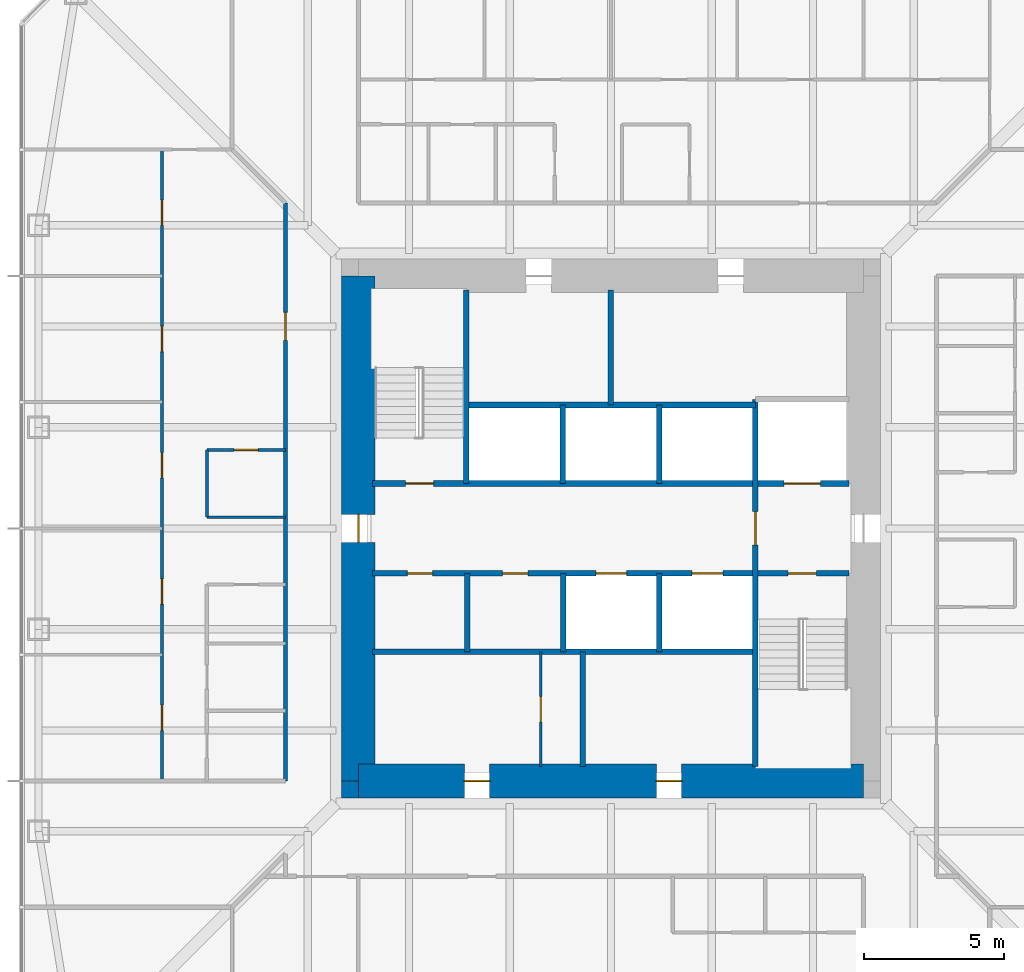
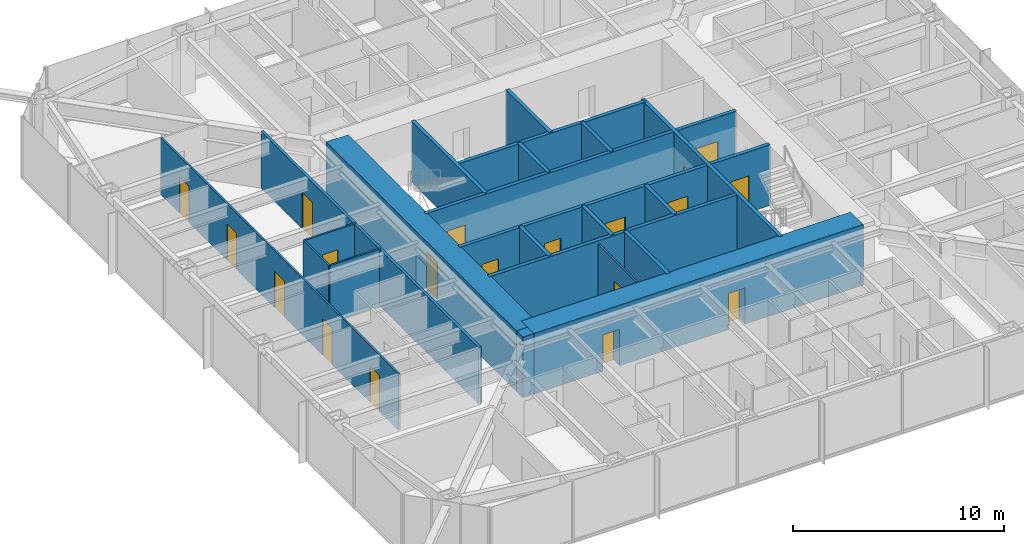
# One storey, part 14 of 25: 22 walls, 19 doors, 19 openings.
"""IFC4 building model written with IfcOpenShell, lengths in metres."""

from ifc_helpers import new_model, si_unit, direction, frame, frame_2d, origin, place, context, subcontext, project, spatial, rectangle, extrude, material, layer, layer_set, type_object, element, fill, save


model = new_model("IFC4")

# Units and contexts
model_context = context("Model", 3, precision=1e-05, world=origin(), true_north=direction((0.0, 1.0)))
body_context = subcontext(model_context, "Body", "Model", "MODEL_VIEW")
ifc_project = project(units=[si_unit("LENGTHUNIT", "METRE"), si_unit("AREAUNIT", "SQUARE_METRE"), si_unit("VOLUMEUNIT", "CUBIC_METRE"), si_unit("PLANEANGLEUNIT", "RADIAN"), si_unit("MASSUNIT", "GRAM", prefix="KILO")], contexts=[model_context])

# Site, building, storey
site_placement = place(None, origin())
site = spatial("IfcSite", under=ifc_project, at=site_placement, CompositionType="ELEMENT")
building_placement = place(site_placement, origin())
building = spatial("IfcBuilding", under=site, at=building_placement, Name="Iwan Alto Co-Living Towers", CompositionType="ELEMENT")
storey_placement = place(building_placement, frame((0.0, 0.0, 87.5)))
storey = spatial("IfcBuildingStorey", under=building, at=storey_placement, Name="L23", CompositionType="ELEMENT", Elevation=87.5)

# Wall, opening, door
ifc_material_1 = material(Name="Gypsum board")
ifc_layer_1 = layer(ifc_material_1, 0.02490234375, Name="Board", Category="Finish")
ifc_material_2 = material(Name="Steel ASTM A1003 ST33H cold-formed studs", Category="steel")
ifc_layer_2 = layer(ifc_material_2, 0.10009765625, Name="Studs", Category="Framing")
ifc_layer_3 = layer(ifc_material_1, 0.02490234375, Name="Board", Category="Finish")
ifc_layer_set_1 = layer_set([ifc_layer_1, ifc_layer_2, ifc_layer_3], Name="CORRIDOR WALL 150")
wall_type_1 = type_object("IfcWallType", Name="CORRIDOR WALL 150", PredefinedType="PARTITIONING", material=ifc_layer_set_1)
wall_1_placement = place(storey_placement, frame((-11.60009765625, -9.0, 0.0), z_axis=(0.0, 0.0, 1.0), x_axis=(0.0, 1.0, 0.0)))
wall_1 = element("IfcWall", 1, at=wall_1_placement, inside=storey, type_object=wall_type_1, Name="Partition L23", PredefinedType="PARTITIONING", context=body_context, shape_type="SweptSolid", body=[
    extrude(rectangle(XDim=20.60009765625, YDim=0.14990234375, at=frame_2d((10.300048828125, 0.0))), origin(), (0.0, 0.0, 1.0), 3.27001953125),
])
opening_1_placement = place(wall_1_placement, frame((15.699951171875, 0.0, 0.0)))
opening_1 = element("IfcOpeningElement", 2, at=opening_1_placement, cuts=wall_1, Name="Opening D3", PredefinedType="OPENING", context=body_context, shape_type="SweptSolid", body=[
    extrude(rectangle(XDim=1.0, YDim=2.10009765625, at=frame_2d((0.5, 1.050048828125))), frame((0.0, 0.0849609375, 0.0), z_axis=(0.0, -1.0, 0.0), x_axis=(1.0, 0.0, 0.0)), (0.0, 0.0, 1.0), 0.169921875),
])
ifc_material_3 = material(Name="Steel frame with timber leaf", Category="steel")
door_type_1 = type_object("IfcDoorType", Name="FLAT ENTRANCE DOOR FD30S 1000X2100", OperationType="SINGLE_SWING_LEFT", PredefinedType="DOOR", material=ifc_material_3)
door_1_placement = place(opening_1_placement, origin())
door_1 = element("IfcDoor", 3, at=door_1_placement, inside=storey, type_object=door_type_1, Name="Cluster lounge door L23", OperationType="SINGLE_SWING_LEFT", OverallHeight=2.10009765625, OverallWidth=1.0, PredefinedType="DOOR", context=body_context, shape_type="SweptSolid", body=[
    extrude(rectangle(XDim=1.0, YDim=2.10009765625, at=frame_2d((0.5, 1.050048828125))), frame((0.0, 0.02490234375, 0.0), z_axis=(0.0, -1.0, 0.0), x_axis=(1.0, 0.0, 0.0)), (0.0, 0.0, 1.0), 0.050048828125),
])
fill(opening_1, door_1)

# Wall
ifc_layer_4 = layer(ifc_material_1, 0.012451171875, Name="Board", Category="Finish")
ifc_layer_5 = layer(ifc_material_2, 0.074951171875, Name="Studs", Category="Framing")
ifc_layer_6 = layer(ifc_material_1, 0.012451171875, Name="Board", Category="Finish")
ifc_layer_set_2 = layer_set([ifc_layer_4, ifc_layer_5, ifc_layer_6], Name="PARTITION 100")
wall_type_2 = type_object("IfcWallType", Name="PARTITION 100", PredefinedType="PARTITIONING", material=ifc_layer_set_2)
wall_2_placement = place(storey_placement, frame((-14.39990234375, 0.39990234375, 0.0), z_axis=(0.0, 0.0, 1.0), x_axis=(1.0, 0.0, 0.0)))
element("IfcWall", 4, at=wall_2_placement, inside=storey, type_object=wall_type_2, Name="Partition L23", PredefinedType="PARTITIONING", context=body_context, shape_type="SweptSolid", body=[
    extrude(rectangle(XDim=2.7998046875, YDim=0.10009765625, at=frame_2d((1.39990234375, 0.0))), origin(), (0.0, 0.0, 1.0), 3.27001953125),
])

# Wall, opening, door
wall_3_placement = place(storey_placement, frame((-14.39990234375, 2.800048828125, 0.0), z_axis=(0.0, 0.0, 1.0), x_axis=(1.0, 0.0, 0.0)))
wall_3 = element("IfcWall", 5, at=wall_3_placement, inside=storey, type_object=wall_type_2, Name="Partition L23", PredefinedType="PARTITIONING", context=body_context, shape_type="SweptSolid", body=[
    extrude(rectangle(XDim=2.7998046875, YDim=0.10009765625, at=frame_2d((1.39990234375, 0.0))), origin(), (0.0, 0.0, 1.0), 3.27001953125),
])
opening_2_placement = place(wall_3_placement, frame((0.97509765625, 0.0, 0.0)))
opening_2 = element("IfcOpeningElement", 6, at=opening_2_placement, cuts=wall_3, Name="Opening D2", PredefinedType="OPENING", context=body_context, shape_type="SweptSolid", body=[
    extrude(rectangle(XDim=0.85009765625, YDim=2.10009765625, at=frame_2d((0.425048828125, 1.050048828125))), frame((0.0, 0.06005859375, 0.0), z_axis=(0.0, -1.0, 0.0), x_axis=(1.0, 0.0, 0.0)), (0.0, 0.0, 1.0), 0.1201171875),
])
ifc_material_4 = material(Name="Timber leaf in steel frame", Category="steel")
door_type_2 = type_object("IfcDoorType", Name="ROOM DOOR 850X2100", OperationType="SINGLE_SWING_LEFT", PredefinedType="DOOR", material=ifc_material_4)
door_2_placement = place(opening_2_placement, origin())
door_2 = element("IfcDoor", 7, at=door_2_placement, inside=storey, type_object=door_type_2, Name="Store room door L23", OperationType="SINGLE_SWING_RIGHT", OverallHeight=2.10009765625, OverallWidth=0.85009765625, PredefinedType="DOOR", context=body_context, shape_type="SweptSolid", body=[
    extrude(rectangle(XDim=0.85009765625, YDim=2.10009765625, at=frame_2d((0.425048828125, 1.050048828125))), frame((0.0, 0.02490234375, 0.0), z_axis=(0.0, -1.0, 0.0), x_axis=(1.0, 0.0, 0.0)), (0.0, 0.0, 1.0), 0.050048828125),
])
fill(opening_2, door_2)

wall_4_placement = place(storey_placement, frame((-2.5, -8.489990234375, 0.0), z_axis=(0.0, 0.0, 1.0), x_axis=(0.0, 1.0, 0.0)))
wall_4 = element("IfcWall", 8, at=wall_4_placement, inside=storey, type_object=wall_type_2, Name="Partition L23", PredefinedType="PARTITIONING", context=body_context, shape_type="SweptSolid", body=[
    extrude(rectangle(XDim=4.090087890625, YDim=0.10009765625, at=frame_2d((2.044921875, 0.0))), origin(), (0.0, 0.0, 1.0), 3.300048828125),
])
opening_3_placement = place(wall_4_placement, frame((1.594970703125, 0.0, 0.0)))
opening_3 = element("IfcOpeningElement", 9, at=opening_3_placement, cuts=wall_4, Name="Opening D16", PredefinedType="OPENING", context=body_context, shape_type="SweptSolid", body=[
    extrude(rectangle(XDim=0.89990234375, YDim=2.10009765625, at=frame_2d((0.449951171875, 1.050048828125))), frame((0.0, 0.06005859375, 0.0), z_axis=(0.0, -1.0, 0.0), x_axis=(1.0, 0.0, 0.0)), (0.0, 0.0, 1.0), 0.1201171875),
])
ifc_material_5 = material(Name="Timber leaf in steel frame", Category="steel")
door_type_3 = type_object("IfcDoorType", Name="CUPBOARD SLIDING DOOR 900X2100", OperationType="SLIDING_TO_LEFT", PredefinedType="DOOR", material=ifc_material_5)
door_3_placement = place(opening_3_placement, origin())
door_3 = element("IfcDoor", 10, at=door_3_placement, inside=storey, type_object=door_type_3, Name="Bulky waste store door L23", OperationType="SLIDING_TO_LEFT", OverallHeight=2.10009765625, OverallWidth=0.89990234375, PredefinedType="DOOR", context=body_context, shape_type="SweptSolid", body=[
    extrude(rectangle(XDim=0.89990234375, YDim=2.10009765625, at=frame_2d((0.449951171875, 1.050048828125))), frame((0.0, 0.02490234375, 0.0), z_axis=(0.0, -1.0, 0.0), x_axis=(1.0, 0.0, 0.0)), (0.0, 0.0, 1.0), 0.050048828125),
])
fill(opening_3, door_3)

# Wall
wall_5_placement = place(storey_placement, frame((-14.39990234375, 0.39990234375, 0.0), z_axis=(0.0, 0.0, 1.0), x_axis=(0.0, 1.0, 0.0)))
element("IfcWall", 11, at=wall_5_placement, inside=storey, type_object=wall_type_2, Name="Partition L23", PredefinedType="PARTITIONING", context=body_context, shape_type="SweptSolid", body=[
    extrude(rectangle(XDim=2.400146484375, YDim=0.10009765625, at=frame_2d((1.2001953125, 0.0))), origin(), (0.0, 0.0, 1.0), 3.27001953125),
])

# Wall, openings, doors
wall_6_placement = place(storey_placement, frame((-16.0, -9.0, 0.0), z_axis=(0.0, 0.0, 1.0), x_axis=(0.0, 1.0, 0.0)))
wall_6 = element("IfcWall", 12, at=wall_6_placement, inside=storey, type_object=wall_type_2, Name="Partition L23", PredefinedType="PARTITIONING", context=body_context, shape_type="SweptSolid", body=[
    extrude(rectangle(XDim=22.5, YDim=0.10009765625, at=frame_2d((11.25, 0.0))), origin(), (0.0, 0.0, 1.0), 3.27001953125),
])
opening_4_placement = place(wall_6_placement, frame((19.800048828125, 0.0, 0.0)))
opening_4 = element("IfcOpeningElement", 13, at=opening_4_placement, cuts=wall_6, Name="Opening D1", PredefinedType="OPENING", context=body_context, shape_type="SweptSolid", body=[
    extrude(rectangle(XDim=0.89990234375, YDim=2.10009765625, at=frame_2d((0.449951171875, 1.050048828125))), frame((0.0, 0.06005859375, 0.0), z_axis=(0.0, -1.0, 0.0), x_axis=(1.0, 0.0, 0.0)), (0.0, 0.0, 1.0), 0.1201171875),
])
opening_5_placement = place(wall_6_placement, frame((15.300048828125, 0.0, 0.0)))
opening_5 = element("IfcOpeningElement", 14, at=opening_5_placement, cuts=wall_6, Name="Opening D1", PredefinedType="OPENING", context=body_context, shape_type="SweptSolid", body=[
    extrude(rectangle(XDim=0.89990234375, YDim=2.10009765625, at=frame_2d((0.449951171875, 1.050048828125))), frame((0.0, 0.06005859375, 0.0), z_axis=(0.0, -1.0, 0.0), x_axis=(1.0, 0.0, 0.0)), (0.0, 0.0, 1.0), 0.1201171875),
])
opening_6_placement = place(wall_6_placement, frame((10.800048828125, 0.0, 0.0)))
opening_6 = element("IfcOpeningElement", 15, at=opening_6_placement, cuts=wall_6, Name="Opening D1", PredefinedType="OPENING", context=body_context, shape_type="SweptSolid", body=[
    extrude(rectangle(XDim=0.89990234375, YDim=2.10009765625, at=frame_2d((0.449951171875, 1.050048828125))), frame((0.0, 0.06005859375, 0.0), z_axis=(0.0, -1.0, 0.0), x_axis=(1.0, 0.0, 0.0)), (0.0, 0.0, 1.0), 0.1201171875),
])
opening_7_placement = place(wall_6_placement, frame((6.300048828125, 0.0, 0.0)))
opening_7 = element("IfcOpeningElement", 16, at=opening_7_placement, cuts=wall_6, Name="Opening D1", PredefinedType="OPENING", context=body_context, shape_type="SweptSolid", body=[
    extrude(rectangle(XDim=0.89990234375, YDim=2.10009765625, at=frame_2d((0.449951171875, 1.050048828125))), frame((0.0, 0.06005859375, 0.0), z_axis=(0.0, -1.0, 0.0), x_axis=(1.0, 0.0, 0.0)), (0.0, 0.0, 1.0), 0.1201171875),
])
opening_8_placement = place(wall_6_placement, frame((1.800048828125, 0.0, 0.0)))
opening_8 = element("IfcOpeningElement", 17, at=opening_8_placement, cuts=wall_6, Name="Opening D1", PredefinedType="OPENING", context=body_context, shape_type="SweptSolid", body=[
    extrude(rectangle(XDim=0.89990234375, YDim=2.10009765625, at=frame_2d((0.449951171875, 1.050048828125))), frame((0.0, 0.06005859375, 0.0), z_axis=(0.0, -1.0, 0.0), x_axis=(1.0, 0.0, 0.0)), (0.0, 0.0, 1.0), 0.1201171875),
])
ifc_material_6 = material(Name="Timber leaf in steel frame", Category="steel")
door_type_4 = type_object("IfcDoorType", Name="BEDROOM DOOR 900X2100", OperationType="SINGLE_SWING_LEFT", PredefinedType="DOOR", material=ifc_material_6)
door_4_placement = place(opening_4_placement, frame((0.89990234375, 0.0, 0.0), z_axis=(0.0, 0.0, 1.0), x_axis=(-1.0, 0.0, 0.0)))
door_4 = element("IfcDoor", 18, at=door_4_placement, inside=storey, type_object=door_type_4, Name="Study bedroom door L23", OperationType="SINGLE_SWING_LEFT", OverallHeight=2.10009765625, OverallWidth=0.89990234375, PredefinedType="DOOR", context=body_context, shape_type="SweptSolid", body=[
    extrude(rectangle(XDim=0.89990234375, YDim=2.10009765625, at=frame_2d((0.449951171875, 1.050048828125))), frame((0.0, 0.02490234375, 0.0), z_axis=(0.0, -1.0, 0.0), x_axis=(1.0, 0.0, 0.0)), (0.0, 0.0, 1.0), 0.050048828125),
])
fill(opening_4, door_4)
door_5_placement = place(opening_5_placement, frame((0.89990234375, 0.0, 0.0), z_axis=(0.0, 0.0, 1.0), x_axis=(-1.0, 0.0, 0.0)))
door_5 = element("IfcDoor", 19, at=door_5_placement, inside=storey, type_object=door_type_4, Name="Study bedroom door L23", OperationType="SINGLE_SWING_LEFT", OverallHeight=2.10009765625, OverallWidth=0.89990234375, PredefinedType="DOOR", context=body_context, shape_type="SweptSolid", body=[
    extrude(rectangle(XDim=0.89990234375, YDim=2.10009765625, at=frame_2d((0.449951171875, 1.050048828125))), frame((0.0, 0.02490234375, 0.0), z_axis=(0.0, -1.0, 0.0), x_axis=(1.0, 0.0, 0.0)), (0.0, 0.0, 1.0), 0.050048828125),
])
fill(opening_5, door_5)
door_6_placement = place(opening_6_placement, frame((0.89990234375, 0.0, 0.0), z_axis=(0.0, 0.0, 1.0), x_axis=(-1.0, 0.0, 0.0)))
door_6 = element("IfcDoor", 20, at=door_6_placement, inside=storey, type_object=door_type_4, Name="Study bedroom door L23", OperationType="SINGLE_SWING_RIGHT", OverallHeight=2.10009765625, OverallWidth=0.89990234375, PredefinedType="DOOR", context=body_context, shape_type="SweptSolid", body=[
    extrude(rectangle(XDim=0.89990234375, YDim=2.10009765625, at=frame_2d((0.449951171875, 1.050048828125))), frame((0.0, 0.02490234375, 0.0), z_axis=(0.0, -1.0, 0.0), x_axis=(1.0, 0.0, 0.0)), (0.0, 0.0, 1.0), 0.050048828125),
])
fill(opening_6, door_6)
door_7_placement = place(opening_7_placement, frame((0.89990234375, 0.0, 0.0), z_axis=(0.0, 0.0, 1.0), x_axis=(-1.0, 0.0, 0.0)))
door_7 = element("IfcDoor", 21, at=door_7_placement, inside=storey, type_object=door_type_4, Name="Study bedroom door L23", OperationType="SINGLE_SWING_RIGHT", OverallHeight=2.10009765625, OverallWidth=0.89990234375, PredefinedType="DOOR", context=body_context, shape_type="SweptSolid", body=[
    extrude(rectangle(XDim=0.89990234375, YDim=2.10009765625, at=frame_2d((0.449951171875, 1.050048828125))), frame((0.0, 0.02490234375, 0.0), z_axis=(0.0, -1.0, 0.0), x_axis=(1.0, 0.0, 0.0)), (0.0, 0.0, 1.0), 0.050048828125),
])
fill(opening_7, door_7)
door_8_placement = place(opening_8_placement, frame((0.89990234375, 0.0, 0.0), z_axis=(0.0, 0.0, 1.0), x_axis=(-1.0, 0.0, 0.0)))
door_8 = element("IfcDoor", 22, at=door_8_placement, inside=storey, type_object=door_type_4, Name="Study bedroom door L23", OperationType="SINGLE_SWING_RIGHT", OverallHeight=2.10009765625, OverallWidth=0.89990234375, PredefinedType="DOOR", context=body_context, shape_type="SweptSolid", body=[
    extrude(rectangle(XDim=0.89990234375, YDim=2.10009765625, at=frame_2d((0.449951171875, 1.050048828125))), frame((0.0, 0.02490234375, 0.0), z_axis=(0.0, -1.0, 0.0), x_axis=(1.0, 0.0, 0.0)), (0.0, 0.0, 1.0), 0.050048828125),
])
fill(opening_8, door_8)

# Wall
ifc_material_7 = material(Name="Concrete f'c 70 MPa", Category="concrete")
ifc_layer_7 = layer(ifc_material_7, 0.199951171875)
ifc_layer_set_3 = layer_set([ifc_layer_7], Name="SHAFT WALL 200")
wall_type_3 = type_object("IfcWallType", Name="SHAFT WALL 200", PredefinedType="SOLIDWALL", material=ifc_layer_set_3)
wall_7_placement = place(storey_placement, frame((-8.489990234375, -4.39990234375, 0.0), z_axis=(0.0, 0.0, 1.0), x_axis=(1.0, 0.0, 0.0)))
element("IfcWall", 23, at=wall_7_placement, inside=storey, type_object=wall_type_3, Name="Shaft wall L23", PredefinedType="SOLIDWALL", context=body_context, shape_type="SweptSolid", body=[
    extrude(rectangle(XDim=13.639892578125, YDim=0.199951171875, at=frame_2d((6.81982421875, 0.0))), origin(), (0.0, 0.0, 1.0), 3.5),
])

# Wall, openings, doors
wall_8_placement = place(storey_placement, frame((-8.489990234375, -1.60009765625, 0.0), z_axis=(0.0, 0.0, 1.0), x_axis=(1.0, 0.0, 0.0)))
wall_8 = element("IfcWall", 24, at=wall_8_placement, inside=storey, type_object=wall_type_3, Name="Shaft wall L23", PredefinedType="SOLIDWALL", context=body_context, shape_type="SweptSolid", body=[
    extrude(rectangle(XDim=16.97998046875, YDim=0.199951171875, at=frame_2d((8.489990234375, 0.0))), origin(), (0.0, 0.0, 1.0), 3.5),
])
opening_9_placement = place(wall_8_placement, frame((14.81005859375, 0.0, 0.0)))
opening_9 = element("IfcOpeningElement", 25, at=opening_9_placement, cuts=wall_8, Name="Opening D5", PredefinedType="OPENING", context=body_context, shape_type="SweptSolid", body=[
    extrude(rectangle(XDim=1.0, YDim=2.10009765625, at=frame_2d((0.5, 1.050048828125))), frame((0.0, 0.10986328125, 0.0), z_axis=(0.0, -1.0, 0.0), x_axis=(1.0, 0.0, 0.0)), (0.0, 0.0, 1.0), 0.219970703125),
])
opening_10_placement = place(wall_8_placement, frame((1.23193359375, 0.0, 0.0)))
opening_10 = element("IfcOpeningElement", 26, at=opening_10_placement, cuts=wall_8, Name="Opening D15", PredefinedType="OPENING", context=body_context, shape_type="SweptSolid", body=[
    extrude(rectangle(XDim=0.89990234375, YDim=2.10009765625, at=frame_2d((0.449951171875, 1.050048828125))), frame((0.0, 0.10986328125, 0.0), z_axis=(0.0, -1.0, 0.0), x_axis=(1.0, 0.0, 0.0)), (0.0, 0.0, 1.0), 0.219970703125),
])
opening_11_placement = place(wall_8_placement, frame((4.626953125, 0.0, 0.0)))
opening_11 = element("IfcOpeningElement", 27, at=opening_11_placement, cuts=wall_8, Name="Opening D15", PredefinedType="OPENING", context=body_context, shape_type="SweptSolid", body=[
    extrude(rectangle(XDim=0.89990234375, YDim=2.10009765625, at=frame_2d((0.449951171875, 1.050048828125))), frame((0.0, 0.10986328125, 0.0), z_axis=(0.0, -1.0, 0.0), x_axis=(1.0, 0.0, 0.0)), (0.0, 0.0, 1.0), 0.219970703125),
])
opening_12_placement = place(wall_8_placement, frame((7.952880859375, 0.0, 0.0)))
opening_12 = element("IfcOpeningElement", 28, at=opening_12_placement, cuts=wall_8, Name="Opening LD", PredefinedType="OPENING", context=body_context, shape_type="SweptSolid", body=[
    extrude(rectangle(XDim=1.10009765625, YDim=2.10009765625, at=frame_2d((0.550048828125, 1.050048828125))), frame((0.0, 0.10986328125, 0.0), z_axis=(0.0, -1.0, 0.0), x_axis=(1.0, 0.0, 0.0)), (0.0, 0.0, 1.0), 0.219970703125),
])
opening_13_placement = place(wall_8_placement, frame((11.3779296875, 0.0, 0.0)))
opening_13 = element("IfcOpeningElement", 29, at=opening_13_placement, cuts=wall_8, Name="Opening LD", PredefinedType="OPENING", context=body_context, shape_type="SweptSolid", body=[
    extrude(rectangle(XDim=1.10009765625, YDim=2.10009765625, at=frame_2d((0.550048828125, 1.050048828125))), frame((0.0, 0.10986328125, 0.0), z_axis=(0.0, -1.0, 0.0), x_axis=(1.0, 0.0, 0.0)), (0.0, 0.0, 1.0), 0.219970703125),
])
ifc_material_8 = material(Name="Steel frame with timber leaf", Category="steel")
door_type_5 = type_object("IfcDoorType", Name="CORE ROOM DOOR FD60S 900X2100", OperationType="SINGLE_SWING_LEFT", PredefinedType="DOOR", material=ifc_material_8)
door_9_placement = place(opening_10_placement, frame((0.89990234375, 0.0, 0.0), z_axis=(0.0, 0.0, 1.0), x_axis=(-1.0, 0.0, 0.0)))
door_9 = element("IfcDoor", 30, at=door_9_placement, inside=storey, type_object=door_type_5, Name="Vending and ice room door L23", OperationType="SINGLE_SWING_LEFT", OverallHeight=2.10009765625, OverallWidth=0.89990234375, PredefinedType="DOOR", context=body_context, shape_type="SweptSolid", body=[
    extrude(rectangle(XDim=0.89990234375, YDim=2.10009765625, at=frame_2d((0.449951171875, 1.050048828125))), frame((0.0, 0.02490234375, 0.0), z_axis=(0.0, -1.0, 0.0), x_axis=(1.0, 0.0, 0.0)), (0.0, 0.0, 1.0), 0.050048828125),
])
fill(opening_10, door_9)
door_10_placement = place(opening_11_placement, frame((0.89990234375, 0.0, 0.0), z_axis=(0.0, 0.0, 1.0), x_axis=(-1.0, 0.0, 0.0)))
door_10 = element("IfcDoor", 31, at=door_10_placement, inside=storey, type_object=door_type_5, Name="Linen store door L23", OperationType="SINGLE_SWING_RIGHT", OverallHeight=2.10009765625, OverallWidth=0.89990234375, PredefinedType="DOOR", context=body_context, shape_type="SweptSolid", body=[
    extrude(rectangle(XDim=0.89990234375, YDim=2.10009765625, at=frame_2d((0.449951171875, 1.050048828125))), frame((0.0, 0.02490234375, 0.0), z_axis=(0.0, -1.0, 0.0), x_axis=(1.0, 0.0, 0.0)), (0.0, 0.0, 1.0), 0.050048828125),
])
fill(opening_11, door_10)
ifc_material_9 = material(Name="Steel frame with timber leaf", Category="steel")
door_type_6 = type_object("IfcDoorType", Name="LIFT LANDING DOOR 1100X2100", OperationType="DOUBLE_DOOR_SLIDING", PredefinedType="DOOR", material=ifc_material_9)
door_11_placement = place(opening_12_placement, origin())
door_11 = element("IfcDoor", 32, at=door_11_placement, inside=storey, type_object=door_type_6, Name="Lift P2-3 landing door L23", OperationType="DOUBLE_DOOR_SLIDING", OverallHeight=2.10009765625, OverallWidth=1.10009765625, PredefinedType="DOOR", context=body_context, shape_type="SweptSolid", body=[
    extrude(rectangle(XDim=1.10009765625, YDim=2.10009765625, at=frame_2d((0.550048828125, 1.050048828125))), frame((0.0, 0.02490234375, 0.0), z_axis=(0.0, -1.0, 0.0), x_axis=(1.0, 0.0, 0.0)), (0.0, 0.0, 1.0), 0.050048828125),
])
fill(opening_12, door_11)
door_12_placement = place(opening_13_placement, origin())
door_12 = element("IfcDoor", 33, at=door_12_placement, inside=storey, type_object=door_type_6, Name="Lift P2-4 landing door L23", OperationType="DOUBLE_DOOR_SLIDING", OverallHeight=2.10009765625, OverallWidth=1.10009765625, PredefinedType="DOOR", context=body_context, shape_type="SweptSolid", body=[
    extrude(rectangle(XDim=1.10009765625, YDim=2.10009765625, at=frame_2d((0.550048828125, 1.050048828125))), frame((0.0, 0.02490234375, 0.0), z_axis=(0.0, -1.0, 0.0), x_axis=(1.0, 0.0, 0.0)), (0.0, 0.0, 1.0), 0.050048828125),
])
fill(opening_13, door_12)
ifc_material_10 = material(Name="Steel frame with timber leaf", Category="steel")
door_type_7 = type_object("IfcDoorType", Name="STAIR DOOR FD120S 1000X2100", OperationType="SINGLE_SWING_LEFT", PredefinedType="DOOR", material=ifc_material_10)
door_13_placement = place(opening_9_placement, frame((1.0, 0.0, 0.0), z_axis=(0.0, 0.0, 1.0), x_axis=(-1.0, 0.0, 0.0)))
door_13 = element("IfcDoor", 34, at=door_13_placement, inside=storey, type_object=door_type_7, Name="Stair S2 door L23", OperationType="SINGLE_SWING_RIGHT", OverallHeight=2.10009765625, OverallWidth=1.0, PredefinedType="DOOR", context=body_context, shape_type="SweptSolid", body=[
    extrude(rectangle(XDim=1.0, YDim=2.10009765625, at=frame_2d((0.5, 1.050048828125))), frame((0.0, 0.02490234375, 0.0), z_axis=(0.0, -1.0, 0.0), x_axis=(1.0, 0.0, 0.0)), (0.0, 0.0, 1.0), 0.050048828125),
])
fill(opening_9, door_13)

wall_9_placement = place(storey_placement, frame((-8.489990234375, 1.60009765625, 0.0), z_axis=(0.0, 0.0, 1.0), x_axis=(1.0, 0.0, 0.0)))
wall_9 = element("IfcWall", 35, at=wall_9_placement, inside=storey, type_object=wall_type_3, Name="Shaft wall L23", PredefinedType="SOLIDWALL", context=body_context, shape_type="SweptSolid", body=[
    extrude(rectangle(XDim=16.97998046875, YDim=0.199951171875, at=frame_2d((8.489990234375, 0.0))), origin(), (0.0, 0.0, 1.0), 3.5),
])
opening_14_placement = place(wall_9_placement, frame((1.169921875, 0.0, 0.0)))
opening_14 = element("IfcOpeningElement", 36, at=opening_14_placement, cuts=wall_9, Name="Opening D5", PredefinedType="OPENING", context=body_context, shape_type="SweptSolid", body=[
    extrude(rectangle(XDim=1.0, YDim=2.10009765625, at=frame_2d((0.5, 1.050048828125))), frame((0.0, 0.10986328125, 0.0), z_axis=(0.0, -1.0, 0.0), x_axis=(1.0, 0.0, 0.0)), (0.0, 0.0, 1.0), 0.219970703125),
])
opening_15_placement = place(wall_9_placement, frame((14.659912109375, 0.0, 0.0)))
opening_15 = element("IfcOpeningElement", 37, at=opening_15_placement, cuts=wall_9, Name="Opening LD2", PredefinedType="OPENING", context=body_context, shape_type="SweptSolid", body=[
    extrude(rectangle(XDim=1.300048828125, YDim=2.10009765625, at=frame_2d((0.64990234375, 1.050048828125))), frame((0.0, 0.10986328125, 0.0), z_axis=(0.0, -1.0, 0.0), x_axis=(1.0, 0.0, 0.0)), (0.0, 0.0, 1.0), 0.219970703125),
])
ifc_material_11 = material(Name="Steel frame with timber leaf", Category="steel")
door_type_8 = type_object("IfcDoorType", Name="LIFT LANDING DOOR 1300X2100", OperationType="SLIDING_TO_LEFT", PredefinedType="DOOR", material=ifc_material_11)
door_14_placement = place(opening_15_placement, origin())
door_14 = element("IfcDoor", 38, at=door_14_placement, inside=storey, type_object=door_type_8, Name="Lift FL1 landing door L23", OperationType="SLIDING_TO_LEFT", OverallHeight=2.10009765625, OverallWidth=1.300048828125, PredefinedType="DOOR", context=body_context, shape_type="SweptSolid", body=[
    extrude(rectangle(XDim=1.300048828125, YDim=2.10009765625, at=frame_2d((0.64990234375, 1.050048828125))), frame((0.0, 0.02490234375, 0.0), z_axis=(0.0, -1.0, 0.0), x_axis=(1.0, 0.0, 0.0)), (0.0, 0.0, 1.0), 0.050048828125),
])
fill(opening_15, door_14)
door_15_placement = place(opening_14_placement, origin())
door_15 = element("IfcDoor", 39, at=door_15_placement, inside=storey, type_object=door_type_7, Name="Stair S1 door L23", OperationType="SINGLE_SWING_RIGHT", OverallHeight=2.10009765625, OverallWidth=1.0, PredefinedType="DOOR", context=body_context, shape_type="SweptSolid", body=[
    extrude(rectangle(XDim=1.0, YDim=2.10009765625, at=frame_2d((0.5, 1.050048828125))), frame((0.0, 0.02490234375, 0.0), z_axis=(0.0, -1.0, 0.0), x_axis=(1.0, 0.0, 0.0)), (0.0, 0.0, 1.0), 0.050048828125),
])
fill(opening_14, door_15)

# Wall
wall_10_placement = place(storey_placement, frame((-5.14990234375, 4.39990234375, 0.0), z_axis=(0.0, 0.0, 1.0), x_axis=(1.0, 0.0, 0.0)))
element("IfcWall", 40, at=wall_10_placement, inside=storey, type_object=wall_type_3, Name="Shaft wall L23", PredefinedType="SOLIDWALL", context=body_context, shape_type="SweptSolid", body=[
    extrude(rectangle(XDim=10.2998046875, YDim=0.199951171875, at=frame_2d((5.14990234375, 0.0))), origin(), (0.0, 0.0, 1.0), 3.5),
])

# Wall, opening, door
wall_11_placement = place(storey_placement, frame((5.14990234375, -8.489990234375, 0.0), z_axis=(0.0, 0.0, 1.0), x_axis=(0.0, 1.0, 0.0)))
wall_11 = element("IfcWall", 41, at=wall_11_placement, inside=storey, type_object=wall_type_3, Name="Shaft wall L23", PredefinedType="SOLIDWALL", context=body_context, shape_type="SweptSolid", body=[
    extrude(rectangle(XDim=13.090087890625, YDim=0.199951171875, at=frame_2d((6.544921875, 0.0))), origin(), (0.0, 0.0, 1.0), 3.5),
])
opening_16_placement = place(wall_11_placement, frame((7.889892578125, 0.0, 0.0)))
opening_16 = element("IfcOpeningElement", 42, at=opening_16_placement, cuts=wall_11, Name="Opening D6", PredefinedType="OPENING", context=body_context, shape_type="SweptSolid", body=[
    extrude(rectangle(XDim=1.199951171875, YDim=2.10009765625, at=frame_2d((0.60009765625, 1.050048828125))), frame((0.0, 0.10986328125, 0.0), z_axis=(0.0, -1.0, 0.0), x_axis=(1.0, 0.0, 0.0)), (0.0, 0.0, 1.0), 0.219970703125),
])
ifc_material_12 = material(Name="Steel frame with timber leaf", Category="steel")
door_type_9 = type_object("IfcDoorType", Name="LOBBY DOOR FD120S 1200X2100", OperationType="SINGLE_SWING_LEFT", PredefinedType="DOOR", material=ifc_material_12)
door_16_placement = place(opening_16_placement, frame((1.199951171875, 0.0, 0.0), z_axis=(0.0, 0.0, 1.0), x_axis=(-1.0, 0.0, 0.0)))
door_16 = element("IfcDoor", 43, at=door_16_placement, inside=storey, type_object=door_type_9, Name="Firefighting lobby door L23", OperationType="SINGLE_SWING_RIGHT", OverallHeight=2.10009765625, OverallWidth=1.199951171875, PredefinedType="DOOR", context=body_context, shape_type="SweptSolid", body=[
    extrude(rectangle(XDim=1.199951171875, YDim=2.10009765625, at=frame_2d((0.60009765625, 1.050048828125))), frame((0.0, 0.02490234375, 0.0), z_axis=(0.0, -1.0, 0.0), x_axis=(1.0, 0.0, 0.0)), (0.0, 0.0, 1.0), 0.050048828125),
])
fill(opening_16, door_16)

# Walls
for number, where, z_axis, x_axis, name in (
    (44, (1.72509765625, -4.39990234375, 0.0), (0.0, 0.0, 1.0), (0.0, 1.0, 0.0), "Shaft wall L23"),
    (45, (1.717041015625, 1.60009765625, 0.0), (0.0, 0.0, 1.0), (0.0, 1.0, 0.0), "Shaft wall L23"),
):
    element("IfcWall", number, at=place(storey_placement, frame(where, z_axis=z_axis, x_axis=x_axis)), inside=storey, type_object=wall_type_3, Name=name, PredefinedType="SOLIDWALL", context=body_context, shape_type="SweptSolid", body=[
        extrude(rectangle(XDim=2.7998046875, YDim=0.199951171875, at=frame_2d((1.39990234375, 0.0))), origin(), (0.0, 0.0, 1.0), 3.5),
    ])
for number, where, z_axis, x_axis, name in (
    (46, (0.0, 4.39990234375, 0.0), (0.0, 0.0, 1.0), (0.0, 1.0, 0.0), "Shaft wall L23"),
    (47, (-1.0, -8.489990234375, 0.0), (0.0, 0.0, 1.0), (0.0, 1.0, 0.0), "Shaft wall L23"),
):
    element("IfcWall", number, at=place(storey_placement, frame(where, z_axis=z_axis, x_axis=x_axis)), inside=storey, type_object=wall_type_3, Name=name, PredefinedType="SOLIDWALL", context=body_context, shape_type="SweptSolid", body=[
        extrude(rectangle(XDim=4.090087890625, YDim=0.199951171875, at=frame_2d((2.044921875, 0.0))), origin(), (0.0, 0.0, 1.0), 3.5),
    ])
for number, where, z_axis, x_axis, name in (
    (48, (-1.699951171875, -4.39990234375, 0.0), (0.0, 0.0, 1.0), (0.0, 1.0, 0.0), "Shaft wall L23"),
    (49, (-1.717041015625, 1.60009765625, 0.0), (0.0, 0.0, 1.0), (0.0, 1.0, 0.0), "Shaft wall L23"),
    (50, (-5.125, -4.39990234375, 0.0), (0.0, 0.0, 1.0), (0.0, 1.0, 0.0), "Shaft wall L23"),
):
    element("IfcWall", number, at=place(storey_placement, frame(where, z_axis=z_axis, x_axis=x_axis)), inside=storey, type_object=wall_type_3, Name=name, PredefinedType="SOLIDWALL", context=body_context, shape_type="SweptSolid", body=[
        extrude(rectangle(XDim=2.7998046875, YDim=0.199951171875, at=frame_2d((1.39990234375, 0.0))), origin(), (0.0, 0.0, 1.0), 3.5),
    ])
wall_12_placement = place(storey_placement, frame((-5.14990234375, 1.60009765625, 0.0), z_axis=(0.0, 0.0, 1.0), x_axis=(0.0, 1.0, 0.0)))
element("IfcWall", 51, at=wall_12_placement, inside=storey, type_object=wall_type_3, Name="Shaft wall L23", PredefinedType="SOLIDWALL", context=body_context, shape_type="SweptSolid", body=[
    extrude(rectangle(XDim=6.889892578125, YDim=0.199951171875, at=frame_2d((3.44482421875, 0.0))), origin(), (0.0, 0.0, 1.0), 3.5),
])
ifc_material_13 = material(Name="Concrete f'c 70 MPa", Category="concrete")
ifc_layer_8 = layer(ifc_material_13, 0.60009765625)
ifc_layer_set_4 = layer_set([ifc_layer_8], Name="T1 CORE CORNER FILL 600")
wall_type_4 = type_object("IfcWallType", Name="T1 CORE CORNER FILL 600", PredefinedType="SOLIDWALL", material=ifc_layer_set_4)
wall_13_placement = place(storey_placement, frame((-9.60009765625, -9.300048828125, 0.0), z_axis=(0.0, 0.0, 1.0), x_axis=(1.0, 0.0, 0.0)))
element("IfcWall", 52, at=wall_13_placement, inside=storey, type_object=wall_type_4, Name="T1 core corner SW L23", PredefinedType="SOLIDWALL", context=body_context, shape_type="SweptSolid", body=[
    extrude(rectangle(XDim=0.60009765625, YDim=0.60009765625, at=frame_2d((0.300048828125, 0.0))), origin(), (0.0, 0.0, 1.0), 3.5),
])

# Wall, openings, doors
ifc_material_14 = material(Name="Concrete f'c 70 MPa", Category="concrete")
ifc_layer_9 = layer(ifc_material_14, 1.199951171875)
ifc_layer_set_5 = layer_set([ifc_layer_9], Name="T1 CORE WALL 1200")
wall_type_5 = type_object("IfcWallType", Name="T1 CORE WALL 1200", PredefinedType="SHEAR", material=ifc_layer_set_5)
wall_14_placement = place(storey_placement, frame((-9.0, -9.0, 0.0), z_axis=(0.0, 0.0, 1.0), x_axis=(1.0, 0.0, 0.0)))
wall_14 = element("IfcWall", 53, at=wall_14_placement, inside=storey, type_object=wall_type_5, Name="T1 core wall S L23", PredefinedType="SHEAR", context=body_context, shape_type="SweptSolid", body=[
    extrude(rectangle(XDim=18.0, YDim=1.199951171875, at=frame_2d((9.0, 0.0))), origin(), (0.0, 0.0, 1.0), 3.5),
])
opening_17_placement = place(wall_14_placement, frame((3.77490234375, 0.0, 0.0)))
opening_17 = element("IfcOpeningElement", 54, at=opening_17_placement, cuts=wall_14, Name="Opening D8", PredefinedType="OPENING", context=body_context, shape_type="SweptSolid", body=[
    extrude(rectangle(XDim=0.89990234375, YDim=2.10009765625, at=frame_2d((0.449951171875, 1.050048828125))), frame((0.0, 0.60986328125, 0.0), z_axis=(0.0, -1.0, 0.0), x_axis=(1.0, 0.0, 0.0)), (0.0, 0.0, 1.0), 1.219970703125),
])
opening_18_placement = place(wall_14_placement, frame((10.625, 0.0, 0.0)))
opening_18 = element("IfcOpeningElement", 55, at=opening_18_placement, cuts=wall_14, Name="Opening D8", PredefinedType="OPENING", context=body_context, shape_type="SweptSolid", body=[
    extrude(rectangle(XDim=0.89990234375, YDim=2.10009765625, at=frame_2d((0.449951171875, 1.050048828125))), frame((0.0, 0.60986328125, 0.0), z_axis=(0.0, -1.0, 0.0), x_axis=(1.0, 0.0, 0.0)), (0.0, 0.0, 1.0), 1.219970703125),
])
ifc_material_15 = material(Name="Steel frame with timber leaf", Category="steel")
door_type_10 = type_object("IfcDoorType", Name="RISER DOOR FD120 900X2100", OperationType="SINGLE_SWING_LEFT", PredefinedType="DOOR", material=ifc_material_15)
door_17_placement = place(opening_17_placement, origin())
door_17 = element("IfcDoor", 56, at=door_17_placement, inside=storey, type_object=door_type_10, Name="Refuse room core door L23", OperationType="SINGLE_SWING_RIGHT", OverallHeight=2.10009765625, OverallWidth=0.89990234375, PredefinedType="DOOR", context=body_context, shape_type="SweptSolid", body=[
    extrude(rectangle(XDim=0.89990234375, YDim=2.10009765625, at=frame_2d((0.449951171875, 1.050048828125))), frame((0.0, 0.02490234375, 0.0), z_axis=(0.0, -1.0, 0.0), x_axis=(1.0, 0.0, 0.0)), (0.0, 0.0, 1.0), 0.050048828125),
])
fill(opening_17, door_17)
door_18_placement = place(opening_18_placement, origin())
door_18 = element("IfcDoor", 57, at=door_18_placement, inside=storey, type_object=door_type_10, Name="Telecom riser core door L23", OperationType="SINGLE_SWING_LEFT", OverallHeight=2.10009765625, OverallWidth=0.89990234375, PredefinedType="DOOR", context=body_context, shape_type="SweptSolid", body=[
    extrude(rectangle(XDim=0.89990234375, YDim=2.10009765625, at=frame_2d((0.449951171875, 1.050048828125))), frame((0.0, 0.02490234375, 0.0), z_axis=(0.0, -1.0, 0.0), x_axis=(1.0, 0.0, 0.0)), (0.0, 0.0, 1.0), 0.050048828125),
])
fill(opening_18, door_18)

# Wall, opening, door
wall_15_placement = place(storey_placement, frame((-9.0, 9.0, 0.0), z_axis=(0.0, 0.0, 1.0), x_axis=(0.0, -1.0, 0.0)))
wall_15 = element("IfcWall", 58, at=wall_15_placement, inside=storey, type_object=wall_type_5, Name="T1 core wall W L23", PredefinedType="SHEAR", context=body_context, shape_type="SweptSolid", body=[
    extrude(rectangle(XDim=18.0, YDim=1.199951171875, at=frame_2d((9.0, 0.0))), origin(), (0.0, 0.0, 1.0), 3.5),
])
opening_19_placement = place(wall_15_placement, frame((8.5, 0.0, 0.0)))
opening_19 = element("IfcOpeningElement", 59, at=opening_19_placement, cuts=wall_15, Name="Opening D7", PredefinedType="OPENING", context=body_context, shape_type="SweptSolid", body=[
    extrude(rectangle(XDim=1.0, YDim=2.10009765625, at=frame_2d((0.5, 1.050048828125))), frame((0.0, 0.60986328125, 0.0), z_axis=(0.0, -1.0, 0.0), x_axis=(1.0, 0.0, 0.0)), (0.0, 0.0, 1.0), 1.219970703125),
])
ifc_material_16 = material(Name="Steel frame with timber leaf", Category="steel")
door_type_11 = type_object("IfcDoorType", Name="CORE DOOR FD120S 1000X2100", OperationType="SINGLE_SWING_LEFT", PredefinedType="DOOR", material=ifc_material_16)
door_19_placement = place(opening_19_placement, origin())
door_19 = element("IfcDoor", 60, at=door_19_placement, inside=storey, type_object=door_type_11, Name="Lift lobby core door L23", OperationType="SINGLE_SWING_RIGHT", OverallHeight=2.10009765625, OverallWidth=1.0, PredefinedType="DOOR", context=body_context, shape_type="SweptSolid", body=[
    extrude(rectangle(XDim=1.0, YDim=2.10009765625, at=frame_2d((0.5, 1.050048828125))), frame((0.0, 0.02490234375, 0.0), z_axis=(0.0, -1.0, 0.0), x_axis=(1.0, 0.0, 0.0)), (0.0, 0.0, 1.0), 0.050048828125),
])
fill(opening_19, door_19)

save(model, "model.ifc")
